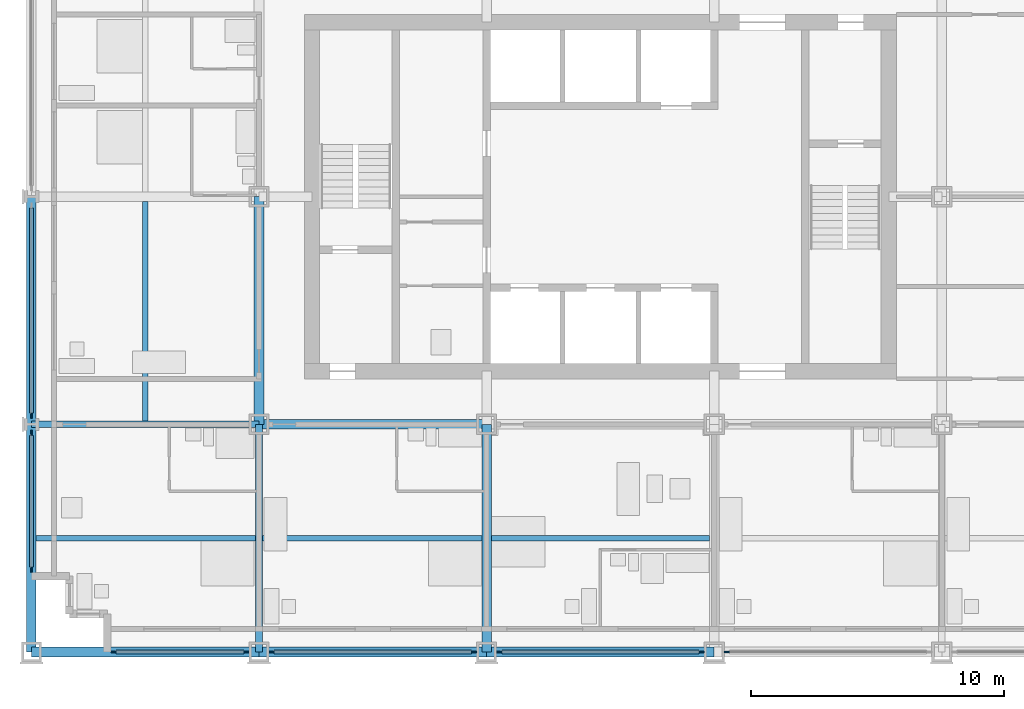
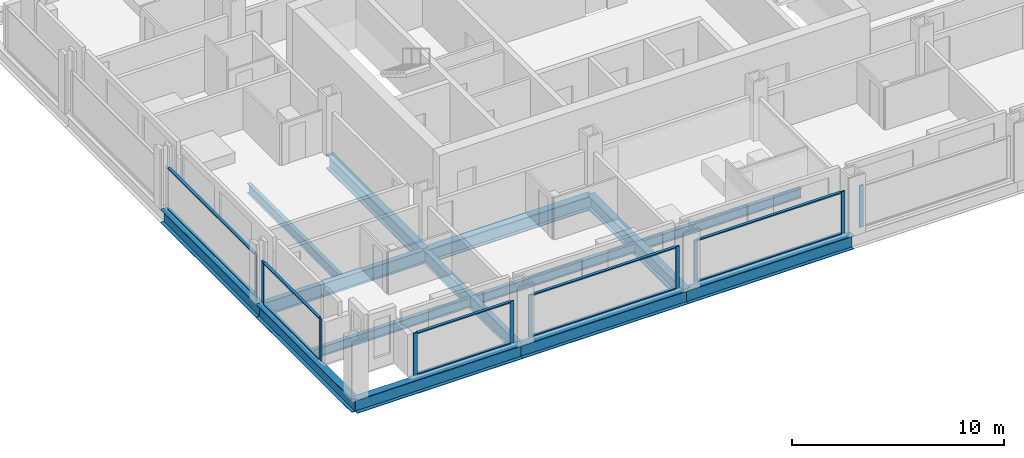
# One storey, part 2 of 18: 20 members, 14 beams, 6 elements without a shape of their own.
"""IFC4 building model written with IfcOpenShell, lengths in metres."""

from ifc_helpers import new_model, si_unit, direction, frame, origin, origin_2d, place, context, subcontext, project, spatial, rectangle, i_section, extrude, material, material_profile, profile_set, type_object, element, aggregate, save


model = new_model("IFC4")

# Units and contexts
model_context = context("Model", 3, precision=1e-05, world=origin(), true_north=direction((0.0, 1.0)))
body_context = subcontext(model_context, "Body", "Model", "MODEL_VIEW")
ifc_project = project(units=[si_unit("LENGTHUNIT", "METRE"), si_unit("AREAUNIT", "SQUARE_METRE"), si_unit("VOLUMEUNIT", "CUBIC_METRE"), si_unit("PLANEANGLEUNIT", "RADIAN"), si_unit("MASSUNIT", "GRAM", prefix="KILO")], contexts=[model_context])

# Site, building, storey
site_placement = place(None, origin())
site = spatial("IfcSite", under=ifc_project, at=site_placement, CompositionType="ELEMENT")
building_placement = place(site_placement, origin())
building = spatial("IfcBuilding", under=site, at=building_placement, Name="Loomwork Tower", CompositionType="ELEMENT")
storey_placement = place(building_placement, frame((0.0, 0.0, 45.0)))
storey = spatial("IfcBuildingStorey", under=building, at=storey_placement, Name="L10", CompositionType="ELEMENT", Elevation=45.0)

# Beams
ifc_material_1 = material(Name="Steel ASTM A992", Category="steel")
ifc_material_profile_1 = material_profile(ifc_material_1, i_section(OverallWidth=0.383544921875, OverallDepth=0.794921875, WebThickness=0.02099609375, FlangeThickness=0.0380859375, at=origin_2d()), Name="W30x235")
ifc_profile_set_1 = profile_set([ifc_material_profile_1], Name="Steel ASTM A992")
beam_type_1 = type_object("IfcBeamType", Name="CORE FLANK GIRDER W30x235", PredefinedType="BEAM", material=ifc_profile_set_1)
for number, where, z_axis, x_axis, name in (
    (1, (9.0, 9.0, -0.597412109375), (1.0, 0.0, 0.0), (0.0, 1.0, 0.0), "Core Flank Girder E/3-E/4 L10"),
    (2, (9.0, 9.0, -0.597412109375), (0.0, 1.0, 0.0), (-1.0, 0.0, 0.0), "Core Flank Girder E/3-F/3 L10"),
    (3, (18.0, 0.0, -0.597412109375), (0.0, 1.0, 0.0), (-1.0, 0.0, 0.0), "Core Flank Girder D/4-E/4 L10"),
):
    element("IfcBeam", number, at=place(storey_placement, frame(where, z_axis=z_axis, x_axis=x_axis)), inside=storey, type_object=beam_type_1, Name=name, PredefinedType="BEAM", context=body_context, shape_type="SweptSolid", body=[
        extrude(i_section(OverallWidth=0.383544921875, OverallDepth=0.794921875, WebThickness=0.02099609375, FlangeThickness=0.0380859375, at=origin_2d()), origin(), (0.0, 0.0, 1.0), 9.0),
    ])
ifc_material_2 = material(Name="Steel ASTM A992", Category="steel")
ifc_material_profile_2 = material_profile(ifc_material_2, i_section(OverallWidth=0.2666015625, OverallDepth=0.761962890625, WebThickness=0.014404296875, FlangeThickness=0.021484375, at=origin_2d()), Name="W30x116")
ifc_profile_set_2 = profile_set([ifc_material_profile_2], Name="Steel ASTM A992")
beam_type_2 = type_object("IfcBeamType", Name="FLOOR GIRDER W30x116", PredefinedType="BEAM", material=ifc_profile_set_2)
for number, where, z_axis, x_axis, name in (
    (4, (0.0, 9.0, -0.5810546875), (1.0, 0.0, 0.0), (0.0, 1.0, 0.0), "Floor Girder E/2-E/3 L10"),
    (5, (9.0, 0.0, -0.5810546875), (0.0, 1.0, 0.0), (-1.0, 0.0, 0.0), "Floor Girder D/3-E/3 L10"),
):
    element("IfcBeam", number, at=place(storey_placement, frame(where, z_axis=z_axis, x_axis=x_axis)), inside=storey, type_object=beam_type_2, Name=name, PredefinedType="BEAM", context=body_context, shape_type="SweptSolid", body=[
        extrude(i_section(OverallWidth=0.2666015625, OverallDepth=0.761962890625, WebThickness=0.014404296875, FlangeThickness=0.021484375, at=origin_2d()), origin(), (0.0, 0.0, 1.0), 9.0),
    ])
ifc_material_3 = material(Name="Steel ASTM A992", Category="steel")
ifc_material_profile_3 = material_profile(ifc_material_3, i_section(OverallWidth=0.2109375, OverallDepth=0.53857421875, WebThickness=0.011474609375, FlangeThickness=0.018798828125, at=origin_2d()), Name="W21x73")
ifc_profile_set_3 = profile_set([ifc_material_profile_3], Name="Steel ASTM A992")
beam_type_3 = type_object("IfcBeamType", Name="FLOOR JOIST W21x73", PredefinedType="JOIST", material=ifc_profile_set_3)
beam_1_placement = place(storey_placement, frame((0.18994140625, 4.5, -0.46923828125), z_axis=(1.0, 0.0, 0.0), x_axis=(0.0, 1.0, 0.0)))
element("IfcBeam", 6, at=beam_1_placement, inside=storey, type_object=beam_type_3, Name="Floor Joist 0.000,4.500-9.000,4.500 L10", PredefinedType="JOIST", context=body_context, shape_type="SweptSolid", body=[
    extrude(i_section(OverallWidth=0.2109375, OverallDepth=0.53857421875, WebThickness=0.011474609375, FlangeThickness=0.018798828125, at=origin_2d()), origin(), (0.0, 0.0, 1.0), 8.677001953125),
])
for number, where, z_axis, x_axis, name in (
    (7, (4.5, 9.133056640625, -0.46923828125), (0.0, 1.0, 0.0), (-1.0, 0.0, 0.0), "Floor Joist 4.500,9.000-4.500,18.000 L10"),
    (8, (9.133056640625, 4.5, -0.46923828125), (1.0, 0.0, 0.0), (0.0, 1.0, 0.0), "Floor Joist 9.000,4.500-18.000,4.500 L10"),
):
    element("IfcBeam", number, at=place(storey_placement, frame(where, z_axis=z_axis, x_axis=x_axis)), inside=storey, type_object=beam_type_3, Name=name, PredefinedType="JOIST", context=body_context, shape_type="SweptSolid", body=[
        extrude(i_section(OverallWidth=0.2109375, OverallDepth=0.53857421875, WebThickness=0.011474609375, FlangeThickness=0.018798828125, at=origin_2d()), origin(), (0.0, 0.0, 1.0), 8.676025390625),
    ])
beam_2_placement = place(storey_placement, frame((18.19091796875, 4.5, -0.46923828125), z_axis=(1.0, 0.0, 0.0), x_axis=(0.0, 1.0, 0.0)))
element("IfcBeam", 9, at=beam_2_placement, inside=storey, type_object=beam_type_3, Name="Floor Joist 18.000,4.500-27.000,4.500 L10", PredefinedType="JOIST", context=body_context, shape_type="SweptSolid", body=[
    extrude(i_section(OverallWidth=0.2109375, OverallDepth=0.53857421875, WebThickness=0.011474609375, FlangeThickness=0.018798828125, at=origin_2d()), origin(), (0.0, 0.0, 1.0), 8.6181640625),
])

# Curtain wall, members
ifc_material_4 = material(Name="Aluminium curtain wall frame", Category="aluminium")
curtain_wall_type = type_object("IfcCurtainWallType", Name="Outer skin glazing hotel", PredefinedType="NOTDEFINED", material=ifc_material_4)
curtain_wall_1_placement = place(storey_placement, origin())
curtain_wall_1 = element("IfcCurtainWall", 10, at=curtain_wall_1_placement, inside=storey, type_object=curtain_wall_type, Name="Outer skin glazing hotel cw/S-0", PredefinedType="NOTDEFINED")
ifc_material_5 = material(Name="Aluminium curtain wall frame", Category="aluminium")
ifc_material_profile_4 = material_profile(ifc_material_5, rectangle(XDim=0.06494140625, YDim=0.199951171875, at=origin_2d()), Name="AL 65x200")
ifc_profile_set_4 = profile_set([ifc_material_profile_4], Name="Aluminium curtain wall frame")
member_type_1 = type_object("IfcMemberType", Name="Outer skin glazing hotel mullion", PredefinedType="MULLION", material=ifc_profile_set_4)
member_1_placement = place(storey_placement, frame((3.25, 0.0, 0.0), z_axis=(0.0, 0.0, 1.0), x_axis=(0.0, 1.0, 0.0)))
member_1 = element("IfcMember", 11, at=member_1_placement, type_object=member_type_1, Name="CW1 mullion 1", PredefinedType="MULLION", context=body_context, shape_type="SweptSolid", body=[
    extrude(rectangle(XDim=0.06494140625, YDim=0.199951171875, at=origin_2d()), origin(), (0.0, 0.0, 1.0), 2.420166015625),
])
member_2_placement = place(storey_placement, frame((8.5, 0.0, 0.0), z_axis=(0.0, 0.0, 1.0), x_axis=(0.0, 1.0, 0.0)))
member_2 = element("IfcMember", 12, at=member_2_placement, type_object=member_type_1, Name="CW1 mullion 2", PredefinedType="MULLION", context=body_context, shape_type="SweptSolid", body=[
    extrude(rectangle(XDim=0.06494140625, YDim=0.199951171875, at=origin_2d()), origin(), (0.0, 0.0, 1.0), 2.420166015625),
])

curtain_wall_2_placement = place(storey_placement, origin())
curtain_wall_2 = element("IfcCurtainWall", 13, at=curtain_wall_2_placement, inside=storey, type_object=curtain_wall_type, Name="Outer skin glazing hotel cw/S-9", PredefinedType="NOTDEFINED")
member_3_placement = place(storey_placement, frame((9.5, 0.0, 0.0), z_axis=(0.0, 0.0, 1.0), x_axis=(0.0, 1.0, 0.0)))
member_3 = element("IfcMember", 14, at=member_3_placement, type_object=member_type_1, Name="CW1 mullion 1", PredefinedType="MULLION", context=body_context, shape_type="SweptSolid", body=[
    extrude(rectangle(XDim=0.06494140625, YDim=0.199951171875, at=origin_2d()), origin(), (0.0, 0.0, 1.0), 2.420166015625),
])
member_4_placement = place(storey_placement, frame((17.5, 0.0, 0.0), z_axis=(0.0, 0.0, 1.0), x_axis=(0.0, 1.0, 0.0)))
member_4 = element("IfcMember", 15, at=member_4_placement, type_object=member_type_1, Name="CW1 mullion 2", PredefinedType="MULLION", context=body_context, shape_type="SweptSolid", body=[
    extrude(rectangle(XDim=0.06494140625, YDim=0.199951171875, at=origin_2d()), origin(), (0.0, 0.0, 1.0), 2.420166015625),
])

curtain_wall_3_placement = place(storey_placement, origin())
curtain_wall_3 = element("IfcCurtainWall", 16, at=curtain_wall_3_placement, inside=storey, type_object=curtain_wall_type, Name="Outer skin glazing hotel cw/S-18", PredefinedType="NOTDEFINED")
member_5_placement = place(storey_placement, frame((18.5, 0.0, 0.0), z_axis=(0.0, 0.0, 1.0), x_axis=(0.0, 1.0, 0.0)))
member_5 = element("IfcMember", 17, at=member_5_placement, type_object=member_type_1, Name="CW1 mullion 1", PredefinedType="MULLION", context=body_context, shape_type="SweptSolid", body=[
    extrude(rectangle(XDim=0.06494140625, YDim=0.199951171875, at=origin_2d()), origin(), (0.0, 0.0, 1.0), 2.420166015625),
])
member_6_placement = place(storey_placement, frame((26.5, 0.0, 0.0), z_axis=(0.0, 0.0, 1.0), x_axis=(0.0, 1.0, 0.0)))
member_6 = element("IfcMember", 18, at=member_6_placement, type_object=member_type_1, Name="CW1 mullion 2", PredefinedType="MULLION", context=body_context, shape_type="SweptSolid", body=[
    extrude(rectangle(XDim=0.06494140625, YDim=0.199951171875, at=origin_2d()), origin(), (0.0, 0.0, 1.0), 2.420166015625),
])

# Curtain wall, member
curtain_wall_4_placement = place(storey_placement, origin())
curtain_wall_4 = element("IfcCurtainWall", 19, at=curtain_wall_4_placement, inside=storey, type_object=curtain_wall_type, Name="Outer skin glazing hotel cw/S-27", PredefinedType="NOTDEFINED")
member_7_placement = place(storey_placement, frame((27.5, 0.0, 0.0), z_axis=(0.0, 0.0, 1.0), x_axis=(0.0, 1.0, 0.0)))
member_7 = element("IfcMember", 20, at=member_7_placement, type_object=member_type_1, Name="CW1 mullion 1", PredefinedType="MULLION", context=body_context, shape_type="SweptSolid", body=[
    extrude(rectangle(XDim=0.06494140625, YDim=0.199951171875, at=origin_2d()), origin(), (0.0, 0.0, 1.0), 2.420166015625),
])
aggregate(curtain_wall_4, [member_7])

# Curtain wall, members
curtain_wall_5_placement = place(storey_placement, origin())
curtain_wall_5 = element("IfcCurtainWall", 21, at=curtain_wall_5_placement, inside=storey, type_object=curtain_wall_type, Name="Outer skin glazing hotel cw/W-0", PredefinedType="NOTDEFINED")
member_8_placement = place(storey_placement, frame((0.0, 8.6611328125, 0.0), z_axis=(0.0, 0.0, 1.0), x_axis=(1.0, 0.0, 0.0)))
member_8 = element("IfcMember", 22, at=member_8_placement, type_object=member_type_1, Name="CW1 mullion 1", PredefinedType="MULLION", context=body_context, shape_type="SweptSolid", body=[
    extrude(rectangle(XDim=0.06494140625, YDim=0.199951171875, at=origin_2d()), origin(), (0.0, 0.0, 1.0), 2.420166015625),
])
member_9_placement = place(storey_placement, frame((0.0, 3.25, 0.0), z_axis=(0.0, 0.0, 1.0), x_axis=(1.0, 0.0, 0.0)))
member_9 = element("IfcMember", 23, at=member_9_placement, type_object=member_type_1, Name="CW1 mullion 2", PredefinedType="MULLION", context=body_context, shape_type="SweptSolid", body=[
    extrude(rectangle(XDim=0.06494140625, YDim=0.199951171875, at=origin_2d()), origin(), (0.0, 0.0, 1.0), 2.420166015625),
])

# Curtain wall, member
curtain_wall_6_placement = place(storey_placement, origin())
curtain_wall_6 = element("IfcCurtainWall", 24, at=curtain_wall_6_placement, inside=storey, type_object=curtain_wall_type, Name="Outer skin glazing hotel cw/W-9", PredefinedType="NOTDEFINED")
member_10_placement = place(storey_placement, frame((0.0, 9.3388671875, 0.0), z_axis=(0.0, 0.0, 1.0), x_axis=(1.0, 0.0, 0.0)))
member_10 = element("IfcMember", 25, at=member_10_placement, type_object=member_type_1, Name="CW1 mullion 2", PredefinedType="MULLION", context=body_context, shape_type="SweptSolid", body=[
    extrude(rectangle(XDim=0.06494140625, YDim=0.199951171875, at=origin_2d()), origin(), (0.0, 0.0, 1.0), 2.420166015625),
])

# Member
ifc_material_6 = material(Name="Aluminium curtain wall frame", Category="aluminium")
ifc_material_profile_5 = material_profile(ifc_material_6, rectangle(XDim=0.14990234375, YDim=0.06494140625, at=origin_2d()), Name="AL 65x150")
ifc_profile_set_5 = profile_set([ifc_material_profile_5], Name="Aluminium curtain wall frame")
member_type_2 = type_object("IfcMemberType", Name="Outer skin glazing hotel transom", PredefinedType="USERDEFINED", material=ifc_profile_set_5)
member_11_placement = place(storey_placement, frame((3.35009765625, 0.0, 0.032470703125), z_axis=(1.0, 0.0, 0.0), x_axis=(0.0, 1.0, 0.0)))
member_11 = element("IfcMember", 26, at=member_11_placement, type_object=member_type_2, Name="CW1 transom 1.1", ObjectType="TRANSOM", PredefinedType="USERDEFINED", context=body_context, shape_type="SweptSolid", body=[
    extrude(rectangle(XDim=0.14990234375, YDim=0.06494140625, at=origin_2d()), origin(), (0.0, 0.0, 1.0), 5.0498046875),
])

member_12_placement = place(storey_placement, frame((3.35009765625, 0.0, 2.3876953125), z_axis=(1.0, 0.0, 0.0), x_axis=(0.0, 1.0, 0.0)))
member_12 = element("IfcMember", 27, at=member_12_placement, type_object=member_type_2, Name="CW1 transom 1.2", ObjectType="TRANSOM", PredefinedType="USERDEFINED", context=body_context, shape_type="SweptSolid", body=[
    extrude(rectangle(XDim=0.14990234375, YDim=0.06494140625, at=origin_2d()), origin(), (0.0, 0.0, 1.0), 5.0498046875),
])

aggregate(curtain_wall_1, [member_1, member_2, member_11, member_12])

member_13_placement = place(storey_placement, frame((9.60009765625, 0.0, 0.032470703125), z_axis=(1.0, 0.0, 0.0), x_axis=(0.0, 1.0, 0.0)))
member_13 = element("IfcMember", 28, at=member_13_placement, type_object=member_type_2, Name="CW1 transom 1.1", ObjectType="TRANSOM", PredefinedType="USERDEFINED", context=body_context, shape_type="SweptSolid", body=[
    extrude(rectangle(XDim=0.14990234375, YDim=0.06494140625, at=origin_2d()), origin(), (0.0, 0.0, 1.0), 7.7998046875),
])

member_14_placement = place(storey_placement, frame((9.60009765625, 0.0, 2.3876953125), z_axis=(1.0, 0.0, 0.0), x_axis=(0.0, 1.0, 0.0)))
member_14 = element("IfcMember", 29, at=member_14_placement, type_object=member_type_2, Name="CW1 transom 1.2", ObjectType="TRANSOM", PredefinedType="USERDEFINED", context=body_context, shape_type="SweptSolid", body=[
    extrude(rectangle(XDim=0.14990234375, YDim=0.06494140625, at=origin_2d()), origin(), (0.0, 0.0, 1.0), 7.7998046875),
])

aggregate(curtain_wall_2, [member_3, member_4, member_13, member_14])

member_15_placement = place(storey_placement, frame((18.60009765625, 0.0, 0.032470703125), z_axis=(1.0, 0.0, 0.0), x_axis=(0.0, 1.0, 0.0)))
member_15 = element("IfcMember", 30, at=member_15_placement, type_object=member_type_2, Name="CW1 transom 1.1", ObjectType="TRANSOM", PredefinedType="USERDEFINED", context=body_context, shape_type="SweptSolid", body=[
    extrude(rectangle(XDim=0.14990234375, YDim=0.06494140625, at=origin_2d()), origin(), (0.0, 0.0, 1.0), 7.7998046875),
])

member_16_placement = place(storey_placement, frame((18.60009765625, 0.0, 2.3876953125), z_axis=(1.0, 0.0, 0.0), x_axis=(0.0, 1.0, 0.0)))
member_16 = element("IfcMember", 31, at=member_16_placement, type_object=member_type_2, Name="CW1 transom 1.2", ObjectType="TRANSOM", PredefinedType="USERDEFINED", context=body_context, shape_type="SweptSolid", body=[
    extrude(rectangle(XDim=0.14990234375, YDim=0.06494140625, at=origin_2d()), origin(), (0.0, 0.0, 1.0), 7.7998046875),
])

aggregate(curtain_wall_3, [member_5, member_6, member_15, member_16])

member_17_placement = place(storey_placement, frame((0.0, 8.561279296875, 0.032470703125), z_axis=(0.0, -1.0, 0.0), x_axis=(1.0, 0.0, 0.0)))
member_17 = element("IfcMember", 32, at=member_17_placement, type_object=member_type_2, Name="CW1 transom 1.1", ObjectType="TRANSOM", PredefinedType="USERDEFINED", context=body_context, shape_type="SweptSolid", body=[
    extrude(rectangle(XDim=0.14990234375, YDim=0.06494140625, at=origin_2d()), origin(), (0.0, 0.0, 1.0), 5.211181640625),
])

member_18_placement = place(storey_placement, frame((0.0, 8.561279296875, 2.3876953125), z_axis=(0.0, -1.0, 0.0), x_axis=(1.0, 0.0, 0.0)))
member_18 = element("IfcMember", 33, at=member_18_placement, type_object=member_type_2, Name="CW1 transom 1.2", ObjectType="TRANSOM", PredefinedType="USERDEFINED", context=body_context, shape_type="SweptSolid", body=[
    extrude(rectangle(XDim=0.14990234375, YDim=0.06494140625, at=origin_2d()), origin(), (0.0, 0.0, 1.0), 5.211181640625),
])

aggregate(curtain_wall_5, [member_8, member_9, member_17, member_18])

member_19_placement = place(storey_placement, frame((0.0, 17.561279296875, 0.032470703125), z_axis=(0.0, -1.0, 0.0), x_axis=(1.0, 0.0, 0.0)))
member_19 = element("IfcMember", 34, at=member_19_placement, type_object=member_type_2, Name="CW1 transom 1.1", ObjectType="TRANSOM", PredefinedType="USERDEFINED", context=body_context, shape_type="SweptSolid", body=[
    extrude(rectangle(XDim=0.14990234375, YDim=0.06494140625, at=origin_2d()), origin(), (0.0, 0.0, 1.0), 8.12255859375),
])

member_20_placement = place(storey_placement, frame((0.0, 17.561279296875, 2.3876953125), z_axis=(0.0, -1.0, 0.0), x_axis=(1.0, 0.0, 0.0)))
member_20 = element("IfcMember", 35, at=member_20_placement, type_object=member_type_2, Name="CW1 transom 1.2", ObjectType="TRANSOM", PredefinedType="USERDEFINED", context=body_context, shape_type="SweptSolid", body=[
    extrude(rectangle(XDim=0.14990234375, YDim=0.06494140625, at=origin_2d()), origin(), (0.0, 0.0, 1.0), 8.12255859375),
])

aggregate(curtain_wall_6, [member_10, member_19, member_20])

# Beams
ifc_material_7 = material(Name="Steel ASTM A992", Category="steel")
ifc_material_profile_6 = material_profile(ifc_material_7, i_section(OverallWidth=0.381103515625, OverallDepth=0.77978515625, WebThickness=0.01806640625, FlangeThickness=0.0302734375, at=origin_2d()), Name="W30x191")
ifc_profile_set_6 = profile_set([ifc_material_profile_6], Name="Steel ASTM A992")
beam_type_4 = type_object("IfcBeamType", Name="SPANDREL GIRDER W30x191", PredefinedType="SPANDREL", material=ifc_profile_set_6)
for number, where, z_axis, x_axis, name in (
    (36, (0.0, 0.0, -0.58984375), (1.0, 0.0, 0.0), (0.0, 1.0, 0.0), "Spandrel Girder D/2-D/3 L10"),
    (37, (9.0, 0.0, -0.58984375), (1.0, 0.0, 0.0), (0.0, 1.0, 0.0), "Spandrel Girder D/3-D/4 L10"),
    (38, (18.0, 0.0, -0.58984375), (1.0, 0.0, 0.0), (0.0, 1.0, 0.0), "Spandrel Girder D/4-D/5 L10"),
    (39, (0.0, 0.0, -0.58984375), (0.0, 1.0, 0.0), (-1.0, 0.0, 0.0), "Spandrel Girder D/2-E/2 L10"),
    (40, (0.0, 9.0, -0.58984375), (0.0, 1.0, 0.0), (-1.0, 0.0, 0.0), "Spandrel Girder E/2-F/2 L10"),
):
    element("IfcBeam", number, at=place(storey_placement, frame(where, z_axis=z_axis, x_axis=x_axis)), inside=storey, type_object=beam_type_4, Name=name, PredefinedType="SPANDREL", context=body_context, shape_type="SweptSolid", body=[
        extrude(i_section(OverallWidth=0.381103515625, OverallDepth=0.77978515625, WebThickness=0.01806640625, FlangeThickness=0.0302734375, at=origin_2d()), origin(), (0.0, 0.0, 1.0), 9.0),
    ])

save(model, "model.ifc")
